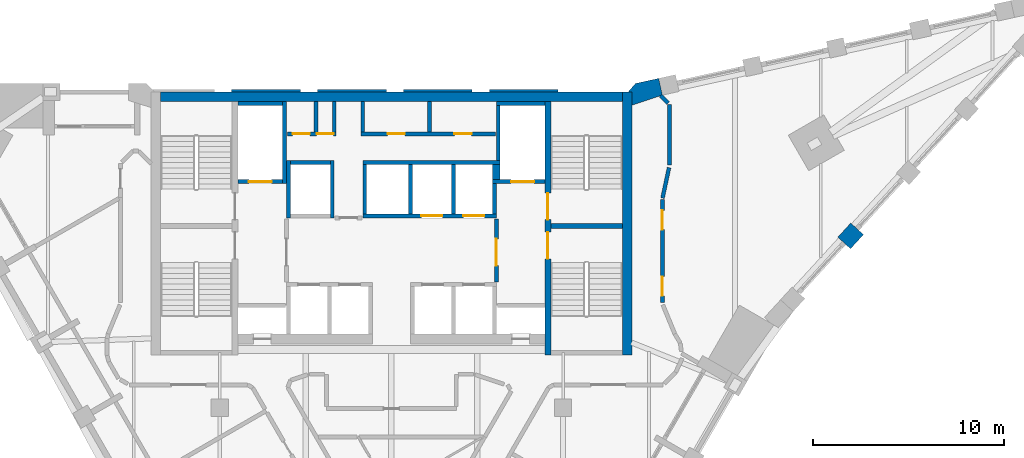
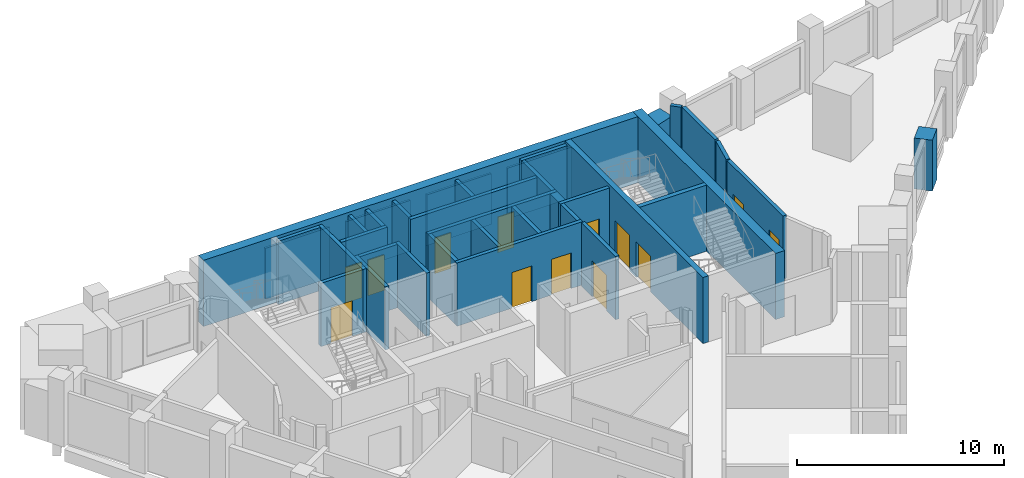
# One storey, part 6 of 8: 37 walls, 13 doors, 13 openings.
"""IFC4 building model written with IfcOpenShell, lengths in metres."""

from ifc_helpers import new_model, si_unit, direction, frame, frame_2d, origin, place, context, subcontext, project, spatial, polyline, rectangle, outline, extrude, material, layer, layer_set, type_object, element, fill, save


model = new_model("IFC4")

# Units and contexts
model_context = context("Model", 3, precision=1e-05, world=origin(), true_north=direction((0.0, 1.0)))
body_context = subcontext(model_context, "Body", "Model", "MODEL_VIEW")
ifc_project = project(units=[si_unit("LENGTHUNIT", "METRE"), si_unit("AREAUNIT", "SQUARE_METRE"), si_unit("VOLUMEUNIT", "CUBIC_METRE"), si_unit("PLANEANGLEUNIT", "RADIAN"), si_unit("MASSUNIT", "GRAM", prefix="KILO")], contexts=[model_context])

# Site, building, storey
site_placement = place(None, origin())
site = spatial("IfcSite", under=ifc_project, at=site_placement, CompositionType="ELEMENT")
building_placement = place(site_placement, origin())
building = spatial("IfcBuilding", under=site, at=building_placement, Name="Calabash Gate Tower", CompositionType="ELEMENT")
storey_placement = place(building_placement, frame((0.0, 0.0, 275.5)))
storey = spatial("IfcBuildingStorey", under=building, at=storey_placement, Name="L66", CompositionType="ELEMENT", Elevation=275.5)

# Walls
ifc_material_1 = material(Name="Terracotta brick masonry, exposed face", Category="masonry")
ifc_layer_1 = layer(ifc_material_1, 0.89990234375)
ifc_layer_set_1 = layer_set([ifc_layer_1], Name="Brick end wall 900")
wall_type_1 = type_object("IfcWallType", Name="Brick end wall 900", PredefinedType="SOLIDWALL", material=ifc_layer_set_1)
wall_1_placement = place(storey_placement, frame((23.728515625, 11.135009765625, 0.0), z_axis=(0.0, 0.0, 1.0), x_axis=(0.674788120713, 0.738011512203, 0.0)))
element("IfcWall", 1, at=wall_1_placement, inside=storey, type_object=wall_type_1, Name="Brick pier S19 wedge3.1", PredefinedType="SOLIDWALL", context=body_context, shape_type="SweptSolid", body=[
    extrude(rectangle(XDim=1.00390625, YDim=0.89990234375, at=frame_2d((0.501953125, 0.0))), origin(), (0.0, 0.0, 1.0), 3.0),
])
wall_2_placement = place(storey_placement, origin())
element("IfcWall", 2, at=wall_2_placement, inside=storey, type_object=wall_type_1, Name="Brick end wall S19 3", PredefinedType="SOLIDWALL", context=body_context, shape_type="SweptSolid", body=[
    extrude(outline(polyline([(14.201416015625, 18.883056640625), (14.0078125, 19.761962890625), (12.784423828125, 19.491943359375), (12.410400390625, 19.052490234375), (12.60009765625, 19.052490234375), (12.60009765625, 18.351806640625), (14.201416015625, 18.883056640625)])), origin(), (0.0, 0.0, 1.0), 3.0),
])
ifc_material_2 = material(Name="Gypsum board on steel studs, mineral wool", Category="steel")
ifc_layer_2 = layer(ifc_material_2, 0.199951171875)
ifc_layer_set_2 = layer_set([ifc_layer_2], Name="Core partition 200 gypsum board")
wall_type_2 = type_object("IfcWallType", Name="Core partition 200 gypsum board", PredefinedType="PARTITIONING", material=ifc_layer_set_2)
for number, where, z_axis, x_axis, name in (
    (3, (-3.949951171875, 16.95263671875, 0.0), (0.0, 0.0, 1.0), (0.0, 1.0, 0.0), "Core partition"),
    (4, (-3.0, 16.95263671875, 0.0), (0.0, 0.0, 1.0), (0.0, 1.0, 0.0), "Core partition"),
    (5, (-1.5, 16.95263671875, 0.0), (0.0, 0.0, 1.0), (0.0, 1.0, 0.0), "Core partition"),
    (6, (2.0, 16.95263671875, 0.0), (0.0, 0.0, 1.0), (0.0, 1.0, 0.0), "Core partition"),
):
    element("IfcWall", number, at=place(storey_placement, frame(where, z_axis=z_axis, x_axis=x_axis)), inside=storey, type_object=wall_type_2, Name=name, PredefinedType="PARTITIONING", context=body_context, shape_type="SweptSolid", body=[
        extrude(rectangle(XDim=1.599853515625, YDim=0.199951171875, at=frame_2d((0.7998046875, 0.0))), origin(), (0.0, 0.0, 1.0), 3.72998046875),
    ])
ifc_material_3 = material(Name="Concrete C60/75", Category="concrete")
ifc_layer_3 = layer(ifc_material_3, 0.25)
ifc_layer_set_3 = layer_set([ifc_layer_3], Name="Core wall 250 Concrete C60/75")
wall_type_3 = type_object("IfcWallType", Name="Core wall 250 Concrete C60/75", PredefinedType="SHEAR", material=ifc_layer_set_3)
wall_3_placement = place(storey_placement, frame((8.35009765625, 12.027587890625, 0.0), z_axis=(0.0, 0.0, 1.0), x_axis=(1.0, 0.0, 0.0)))
element("IfcWall", 7, at=wall_3_placement, inside=storey, type_object=wall_type_3, Name="Core wall Z5-MIDE L66", PredefinedType="SHEAR", context=body_context, shape_type="SweptSolid", body=[
    extrude(rectangle(XDim=3.75, YDim=0.25, at=frame_2d((1.875, 0.0))), origin(), (0.0, 0.0, 1.0), 3.89990234375),
])

# Wall, openings, doors
ifc_material_4 = material(Name="Concrete C60/75", Category="concrete")
ifc_layer_4 = layer(ifc_material_4, 0.300048828125)
ifc_layer_set_4 = layer_set([ifc_layer_4], Name="Core wall 300 Concrete C60/75")
wall_type_4 = type_object("IfcWallType", Name="Core wall 300 Concrete C60/75", PredefinedType="SHEAR", material=ifc_layer_set_4)
wall_4_placement = place(storey_placement, frame((8.199951171875, 5.252685546875, 0.0), z_axis=(0.0, 0.0, 1.0), x_axis=(0.0, 1.0, 0.0)))
wall_4 = element("IfcWall", 8, at=wall_4_placement, inside=storey, type_object=wall_type_4, Name="Core wall Z5-PARTE L66", PredefinedType="SHEAR", context=body_context, shape_type="SweptSolid", body=[
    extrude(rectangle(XDim=13.2998046875, YDim=0.300048828125, at=frame_2d((6.64990234375, 0.0))), origin(), (0.0, 0.0, 1.0), 3.89990234375),
])
opening_1_placement = place(wall_4_placement, frame((7.10009765625, 0.0, 0.0)))
opening_1 = element("IfcOpeningElement", 9, at=opening_1_placement, cuts=wall_4, Name="Opening O11-012", PredefinedType="OPENING", context=body_context, shape_type="SweptSolid", body=[
    extrude(rectangle(XDim=1.39990234375, YDim=2.10009765625, at=frame_2d((0.699951171875, 1.050048828125))), frame((0.0, 0.159912109375, 0.0), z_axis=(0.0, -1.0, 0.0), x_axis=(1.0, 0.0, 0.0)), (0.0, 0.0, 1.0), 0.320068359375),
])
opening_2_placement = place(wall_4_placement, frame((5.050048828125, 0.0, 0.0)))
opening_2 = element("IfcOpeningElement", 10, at=opening_2_placement, cuts=wall_4, Name="Opening O11-013", PredefinedType="OPENING", context=body_context, shape_type="SweptSolid", body=[
    extrude(rectangle(XDim=1.39990234375, YDim=2.10009765625, at=frame_2d((0.699951171875, 1.050048828125))), frame((0.0, 0.159912109375, 0.0), z_axis=(0.0, -1.0, 0.0), x_axis=(1.0, 0.0, 0.0)), (0.0, 0.0, 1.0), 0.320068359375),
])
ifc_material_5 = material(Name="Steel fire door set with fire-resisting glazing", Category="steel")
door_type_1 = type_object("IfcDoorType", Name="Fire door D05 1400x2100 FD90", OperationType="NOTDEFINED", PredefinedType="DOOR", material=ifc_material_5)
door_1_placement = place(opening_1_placement, origin())
door_1 = element("IfcDoor", 11, at=door_1_placement, inside=storey, type_object=door_type_1, Name="Exit stair door ST3", OperationType="SINGLE_SWING_RIGHT", OverallHeight=2.10009765625, OverallWidth=1.39990234375, PredefinedType="DOOR", context=body_context, shape_type="SweptSolid", body=[
    extrude(rectangle(XDim=1.39990234375, YDim=2.10009765625, at=frame_2d((0.699951171875, 1.050048828125))), frame((0.0, 0.02490234375, 0.0), z_axis=(0.0, -1.0, 0.0), x_axis=(1.0, 0.0, 0.0)), (0.0, 0.0, 1.0), 0.050048828125),
])
fill(opening_1, door_1)
door_2_placement = place(opening_2_placement, origin())
door_2 = element("IfcDoor", 12, at=door_2_placement, inside=storey, type_object=door_type_1, Name="Exit stair door ST4", OperationType="SINGLE_SWING_LEFT", OverallHeight=2.10009765625, OverallWidth=1.39990234375, PredefinedType="DOOR", context=body_context, shape_type="SweptSolid", body=[
    extrude(rectangle(XDim=1.39990234375, YDim=2.10009765625, at=frame_2d((0.699951171875, 1.050048828125))), frame((0.0, 0.02490234375, 0.0), z_axis=(0.0, -1.0, 0.0), x_axis=(1.0, 0.0, 0.0)), (0.0, 0.0, 1.0), 0.050048828125),
])
fill(opening_2, door_2)

# Walls
ifc_material_6 = material(Name="Concrete C60/75", Category="concrete")
ifc_layer_5 = layer(ifc_material_6, 0.5)
ifc_layer_set_5 = layer_set([ifc_layer_5], Name="Core wall 500 Concrete C60/75")
wall_type_5 = type_object("IfcWallType", Name="Core wall 500 Concrete C60/75", PredefinedType="SHEAR", material=ifc_layer_set_5)
wall_5_placement = place(storey_placement, frame((-12.10009765625, 18.802490234375, 0.0), z_axis=(0.0, 0.0, 1.0), x_axis=(1.0, 0.0, 0.0)))
element("IfcWall", 13, at=wall_5_placement, inside=storey, type_object=wall_type_5, Name="Core wall Z5-N L66", PredefinedType="SHEAR", context=body_context, shape_type="SweptSolid", body=[
    extrude(rectangle(XDim=24.2001953125, YDim=0.5, at=frame_2d((12.10009765625, 0.0))), origin(), (0.0, 0.0, 1.0), 3.89990234375),
])
wall_6_placement = place(storey_placement, frame((12.35009765625, 5.252685546875, 0.0), z_axis=(0.0, 0.0, 1.0), x_axis=(0.0, 1.0, 0.0)))
element("IfcWall", 14, at=wall_6_placement, inside=storey, type_object=wall_type_5, Name="Core wall Z5-COLE L66", PredefinedType="SHEAR", context=body_context, shape_type="SweptSolid", body=[
    extrude(rectangle(XDim=13.7998046875, YDim=0.5, at=frame_2d((6.89990234375, 0.0))), origin(), (0.0, 0.0, 1.0), 3.89990234375),
])

# Wall, openings, doors
ifc_material_7 = material(Name="Gypsum board on steel studs, mineral wool", Category="steel")
ifc_layer_6 = layer(ifc_material_7, 0.199951171875)
ifc_layer_set_6 = layer_set([ifc_layer_6], Name="Partition 200 gypsum board EI 60")
wall_type_6 = type_object("IfcWallType", Name="Partition 200 gypsum board EI 60", PredefinedType="PARTITIONING", material=ifc_layer_set_6)
wall_7_placement = place(storey_placement, frame((14.200439453125, 8.017333984375, 0.0), z_axis=(0.0, 0.0, 1.0), x_axis=(0.0, 1.0, 0.0)))
wall_7 = element("IfcWall", 15, at=wall_7_placement, inside=storey, type_object=wall_type_6, Name="Partition", PredefinedType="PARTITIONING", context=body_context, shape_type="SweptSolid", body=[
    extrude(rectangle(XDim=5.400146484375, YDim=0.199951171875, at=frame_2d((2.7001953125, 0.0))), origin(), (0.0, 0.0, 1.0), 3.72998046875),
])
opening_3_placement = place(wall_7_placement, frame((3.8203125, 0.0, 0.0)))
opening_3 = element("IfcOpeningElement", 16, at=opening_3_placement, cuts=wall_7, Name="Opening 65-66-007", PredefinedType="OPENING", context=body_context, shape_type="SweptSolid", body=[
    extrude(rectangle(XDim=1.0, YDim=2.10009765625, at=frame_2d((0.5, 1.050048828125))), frame((0.0, 0.10986328125, 0.0), z_axis=(0.0, -1.0, 0.0), x_axis=(1.0, 0.0, 0.0)), (0.0, 0.0, 1.0), 0.219970703125),
])
opening_4_placement = place(wall_7_placement, frame((0.35009765625, 0.0, 0.0)))
opening_4 = element("IfcOpeningElement", 17, at=opening_4_placement, cuts=wall_7, Name="Opening 65-66-008", PredefinedType="OPENING", context=body_context, shape_type="SweptSolid", body=[
    extrude(rectangle(XDim=1.0, YDim=2.10009765625, at=frame_2d((0.5, 1.050048828125))), frame((0.0, 0.10986328125, 0.0), z_axis=(0.0, -1.0, 0.0), x_axis=(1.0, 0.0, 0.0)), (0.0, 0.0, 1.0), 0.219970703125),
])
ifc_material_8 = material(Name="Steel fire door set with fire-resisting glazing", Category="steel")
door_type_2 = type_object("IfcDoorType", Name="LD2 Meeting room door 1000x2100", OperationType="NOTDEFINED", PredefinedType="DOOR", material=ifc_material_8)
door_3_placement = place(opening_3_placement, origin())
door_3 = element("IfcDoor", 18, at=door_3_placement, inside=storey, type_object=door_type_2, Name="Meeting room door", OperationType="SINGLE_SWING_RIGHT", OverallHeight=2.10009765625, OverallWidth=1.0, PredefinedType="DOOR", context=body_context, shape_type="SweptSolid", body=[
    extrude(rectangle(XDim=1.0, YDim=2.10009765625, at=frame_2d((0.5, 1.050048828125))), frame((0.0, 0.02490234375, 0.0), z_axis=(0.0, -1.0, 0.0), x_axis=(1.0, 0.0, 0.0)), (0.0, 0.0, 1.0), 0.050048828125),
])
fill(opening_3, door_3)
door_4_placement = place(opening_4_placement, origin())
door_4 = element("IfcDoor", 19, at=door_4_placement, inside=storey, type_object=door_type_2, Name="Meeting room door", OperationType="SINGLE_SWING_LEFT", OverallHeight=2.10009765625, OverallWidth=1.0, PredefinedType="DOOR", context=body_context, shape_type="SweptSolid", body=[
    extrude(rectangle(XDim=1.0, YDim=2.10009765625, at=frame_2d((0.5, 1.050048828125))), frame((0.0, 0.02490234375, 0.0), z_axis=(0.0, -1.0, 0.0), x_axis=(1.0, 0.0, 0.0)), (0.0, 0.0, 1.0), 0.050048828125),
])
fill(opening_4, door_4)

# Walls
wall_8_placement = place(storey_placement, frame((14.2080078125, 13.48681640625, 0.0), z_axis=(0.0, 0.0, 1.0), x_axis=(0.210294567168, 0.977638069543, 0.0)))
element("IfcWall", 20, at=wall_8_placement, inside=storey, type_object=wall_type_6, Name="Partition", PredefinedType="PARTITIONING", context=body_context, shape_type="SweptSolid", body=[
    extrude(rectangle(XDim=1.633544921875, YDim=0.199951171875, at=frame_2d((0.81689453125, 0.0))), origin(), (0.0, 0.0, 1.0), 3.72998046875),
])
wall_9_placement = place(storey_placement, frame((14.566162109375, 18.392578125, 0.0), z_axis=(0.0, 0.0, 1.0), x_axis=(0.0, -1.0, 0.0)))
element("IfcWall", 21, at=wall_9_placement, inside=storey, type_object=wall_type_6, Name="Partition", PredefinedType="PARTITIONING", context=body_context, shape_type="SweptSolid", body=[
    extrude(rectangle(XDim=3.169921875, YDim=0.199951171875, at=frame_2d((1.5849609375, 0.0))), origin(), (0.0, 0.0, 1.0), 3.72998046875),
])
wall_10_placement = place(storey_placement, frame((14.107177734375, 18.851806640625, 0.0), z_axis=(0.0, 0.0, 1.0), x_axis=(0.707106781187, -0.707106781187, 0.0)))
element("IfcWall", 22, at=wall_10_placement, inside=storey, type_object=wall_type_6, Name="Partition", PredefinedType="PARTITIONING", context=body_context, shape_type="SweptSolid", body=[
    extrude(rectangle(XDim=0.54931640625, YDim=0.199951171875, at=frame_2d((0.274658203125, 0.0))), origin(), (0.0, 0.0, 1.0), 3.72998046875),
])

# Wall, opening, door
ifc_material_9 = material(Name="Concrete C40/50", Category="concrete")
ifc_layer_7 = layer(ifc_material_9, 0.199951171875)
ifc_layer_set_7 = layer_set([ifc_layer_7], Name="Shaft wall 200 Concrete C40/50")
wall_type_7 = type_object("IfcWallType", Name="Shaft wall 200 Concrete C40/50", PredefinedType="SOLIDWALL", material=ifc_layer_set_7)
wall_11_placement = place(storey_placement, frame((5.5, 9.1025390625, 0.0), z_axis=(0.0, 0.0, 1.0), x_axis=(0.0, 1.0, 0.0)))
wall_11 = element("IfcWall", 23, at=wall_11_placement, inside=storey, type_object=wall_type_7, Name="Shaft wall", PredefinedType="SOLIDWALL", context=body_context, shape_type="SweptSolid", body=[
    extrude(rectangle(XDim=3.300048828125, YDim=0.199951171875, at=frame_2d((1.64990234375, 0.0))), origin(), (0.0, 0.0, 1.0), 3.72998046875),
])
opening_5_placement = place(wall_11_placement, frame((0.85009765625, 0.0, 0.0)))
opening_5 = element("IfcOpeningElement", 24, at=opening_5_placement, cuts=wall_11, Name="Opening O11-002", PredefinedType="OPENING", context=body_context, shape_type="SweptSolid", body=[
    extrude(rectangle(XDim=1.39990234375, YDim=2.10009765625, at=frame_2d((0.699951171875, 1.050048828125))), frame((0.0, 0.10986328125, 0.0), z_axis=(0.0, -1.0, 0.0), x_axis=(1.0, 0.0, 0.0)), (0.0, 0.0, 1.0), 0.219970703125),
])
door_5_placement = place(opening_5_placement, origin())
door_5 = element("IfcDoor", 25, at=door_5_placement, inside=storey, type_object=door_type_1, Name="Firefighting Lobby E door", OperationType="SINGLE_SWING_LEFT", OverallHeight=2.10009765625, OverallWidth=1.39990234375, PredefinedType="DOOR", context=body_context, shape_type="SweptSolid", body=[
    extrude(rectangle(XDim=1.39990234375, YDim=2.10009765625, at=frame_2d((0.699951171875, 1.050048828125))), frame((0.0, 0.02490234375, 0.0), z_axis=(0.0, -1.0, 0.0), x_axis=(1.0, 0.0, 0.0)), (0.0, 0.0, 1.0), 0.050048828125),
])
fill(opening_5, door_5)

# Walls
for number, where, z_axis, x_axis, name in (
    (26, (-5.39990234375, 12.45263671875, 0.0), (0.0, 0.0, 1.0), (0.0, 1.0, 0.0), "Shaft wall"),
    (27, (-3.10009765625, 12.45263671875, 0.0), (0.0, 0.0, 1.0), (0.0, 1.0, 0.0), "Shaft wall"),
):
    element("IfcWall", number, at=place(storey_placement, frame(where, z_axis=z_axis, x_axis=x_axis)), inside=storey, type_object=wall_type_7, Name=name, PredefinedType="SOLIDWALL", context=body_context, shape_type="SweptSolid", body=[
        extrude(rectangle(XDim=3.0, YDim=0.199951171875, at=frame_2d((1.5, 0.0))), origin(), (0.0, 0.0, 1.0), 3.72998046875),
    ])

# Wall, openings, doors
wall_12_placement = place(storey_placement, frame((-1.5, 12.552490234375, 0.0), z_axis=(0.0, 0.0, 1.0), x_axis=(1.0, 0.0, 0.0)))
wall_12 = element("IfcWall", 28, at=wall_12_placement, inside=storey, type_object=wall_type_7, Name="Shaft wall", PredefinedType="SOLIDWALL", context=body_context, shape_type="SweptSolid", body=[
    extrude(rectangle(XDim=7.0, YDim=0.199951171875, at=frame_2d((3.5, 0.0))), origin(), (0.0, 0.0, 1.0), 3.72998046875),
])
opening_6_placement = place(wall_12_placement, frame((3.074951171875, 0.0, 0.0)))
opening_6 = element("IfcOpeningElement", 29, at=opening_6_placement, cuts=wall_12, Name="Opening LD-HR5", PredefinedType="OPENING", context=body_context, shape_type="SweptSolid", body=[
    extrude(rectangle(XDim=1.10009765625, YDim=2.10009765625, at=frame_2d((0.550048828125, 1.050048828125))), frame((0.0, 0.10986328125, 0.0), z_axis=(0.0, -1.0, 0.0), x_axis=(1.0, 0.0, 0.0)), (0.0, 0.0, 1.0), 0.219970703125),
])
opening_7_placement = place(wall_12_placement, frame((5.27490234375, 0.0, 0.0)))
opening_7 = element("IfcOpeningElement", 30, at=opening_7_placement, cuts=wall_12, Name="Opening LD-HR6", PredefinedType="OPENING", context=body_context, shape_type="SweptSolid", body=[
    extrude(rectangle(XDim=1.10009765625, YDim=2.10009765625, at=frame_2d((0.550048828125, 1.050048828125))), frame((0.0, 0.10986328125, 0.0), z_axis=(0.0, -1.0, 0.0), x_axis=(1.0, 0.0, 0.0)), (0.0, 0.0, 1.0), 0.219970703125),
])
ifc_material_10 = material(Name="Stainless steel sliding door leaves", Category="steel")
door_type_3 = type_object("IfcDoorType", Name="Lift landing door LS1 1100x2100 FD90", OperationType="DOUBLE_DOOR_SLIDING", PredefinedType="DOOR", material=ifc_material_10)
door_6_placement = place(opening_6_placement, origin())
door_6 = element("IfcDoor", 31, at=door_6_placement, inside=storey, type_object=door_type_3, Name="Lift landing door HR5", OperationType="DOUBLE_DOOR_SLIDING", OverallHeight=2.10009765625, OverallWidth=1.10009765625, PredefinedType="DOOR", context=body_context, shape_type="SweptSolid", body=[
    extrude(rectangle(XDim=1.10009765625, YDim=2.10009765625, at=frame_2d((0.550048828125, 1.050048828125))), frame((0.0, 0.02490234375, 0.0), z_axis=(0.0, -1.0, 0.0), x_axis=(1.0, 0.0, 0.0)), (0.0, 0.0, 1.0), 0.050048828125),
])
fill(opening_6, door_6)
door_7_placement = place(opening_7_placement, origin())
door_7 = element("IfcDoor", 32, at=door_7_placement, inside=storey, type_object=door_type_3, Name="Lift landing door HR6", OperationType="DOUBLE_DOOR_SLIDING", OverallHeight=2.10009765625, OverallWidth=1.10009765625, PredefinedType="DOOR", context=body_context, shape_type="SweptSolid", body=[
    extrude(rectangle(XDim=1.10009765625, YDim=2.10009765625, at=frame_2d((0.550048828125, 1.050048828125))), frame((0.0, 0.02490234375, 0.0), z_axis=(0.0, -1.0, 0.0), x_axis=(1.0, 0.0, 0.0)), (0.0, 0.0, 1.0), 0.050048828125),
])
fill(opening_7, door_7)

# Walls
for number, where, z_axis, x_axis, name in (
    (33, (-1.39990234375, 12.652587890625, 0.0), (0.0, 0.0, 1.0), (0.0, 1.0, 0.0), "Shaft wall"),
    (34, (1.0, 12.652587890625, 0.0), (0.0, 0.0, 1.0), (0.0, 1.0, 0.0), "Shaft wall"),
    (35, (3.25, 12.652587890625, 0.0), (0.0, 0.0, 1.0), (0.0, 1.0, 0.0), "Shaft wall"),
):
    element("IfcWall", number, at=place(storey_placement, frame(where, z_axis=z_axis, x_axis=x_axis)), inside=storey, type_object=wall_type_7, Name=name, PredefinedType="SOLIDWALL", context=body_context, shape_type="SweptSolid", body=[
        extrude(rectangle(XDim=2.60009765625, YDim=0.199951171875, at=frame_2d((1.300048828125, 0.0))), origin(), (0.0, 0.0, 1.0), 3.72998046875),
    ])
wall_13_placement = place(storey_placement, frame((5.39990234375, 12.652587890625, 0.0), z_axis=(0.0, 0.0, 1.0), x_axis=(0.0, 1.0, 0.0)))
element("IfcWall", 36, at=wall_13_placement, inside=storey, type_object=wall_type_7, Name="Shaft wall", PredefinedType="SOLIDWALL", context=body_context, shape_type="SweptSolid", body=[
    extrude(rectangle(XDim=1.60009765625, YDim=0.199951171875, at=frame_2d((0.800048828125, 0.0))), origin(), (0.0, 0.0, 1.0), 3.72998046875),
])

# Wall, opening, door
wall_14_placement = place(storey_placement, frame((-8.050048828125, 14.3525390625, 0.0), z_axis=(0.0, 0.0, 1.0), x_axis=(1.0, 0.0, 0.0)))
wall_14 = element("IfcWall", 37, at=wall_14_placement, inside=storey, type_object=wall_type_7, Name="Shaft wall", PredefinedType="SOLIDWALL", context=body_context, shape_type="SweptSolid", body=[
    extrude(rectangle(XDim=2.35009765625, YDim=0.199951171875, at=frame_2d((1.175048828125, 0.0))), origin(), (0.0, 0.0, 1.0), 3.72998046875),
])
opening_8_placement = place(wall_14_placement, frame((0.574951171875, 0.0, 0.0)))
opening_8 = element("IfcOpeningElement", 38, at=opening_8_placement, cuts=wall_14, Name="Opening LD-FF1", PredefinedType="OPENING", context=body_context, shape_type="SweptSolid", body=[
    extrude(rectangle(XDim=1.199951171875, YDim=2.10009765625, at=frame_2d((0.60009765625, 1.050048828125))), frame((0.0, 0.10986328125, 0.0), z_axis=(0.0, -1.0, 0.0), x_axis=(1.0, 0.0, 0.0)), (0.0, 0.0, 1.0), 0.219970703125),
])
ifc_material_11 = material(Name="Stainless steel sliding door leaves", Category="steel")
door_type_4 = type_object("IfcDoorType", Name="Lift landing door LS3 1200x2100 FD90", OperationType="DOUBLE_DOOR_SLIDING", PredefinedType="DOOR", material=ifc_material_11)
door_8_placement = place(opening_8_placement, origin())
door_8 = element("IfcDoor", 39, at=door_8_placement, inside=storey, type_object=door_type_4, Name="Lift landing door FF1", OperationType="DOUBLE_DOOR_SLIDING", OverallHeight=2.10009765625, OverallWidth=1.199951171875, PredefinedType="DOOR", context=body_context, shape_type="SweptSolid", body=[
    extrude(rectangle(XDim=1.199951171875, YDim=2.10009765625, at=frame_2d((0.60009765625, 1.050048828125))), frame((0.0, 0.02490234375, 0.0), z_axis=(0.0, -1.0, 0.0), x_axis=(1.0, 0.0, 0.0)), (0.0, 0.0, 1.0), 0.050048828125),
])
fill(opening_8, door_8)

# Wall
wall_15_placement = place(storey_placement, frame((-5.60009765625, 14.252685546875, 0.0), z_axis=(0.0, 0.0, 1.0), x_axis=(0.0, 1.0, 0.0)))
element("IfcWall", 40, at=wall_15_placement, inside=storey, type_object=wall_type_7, Name="Shaft wall", PredefinedType="SOLIDWALL", context=body_context, shape_type="SweptSolid", body=[
    extrude(rectangle(XDim=4.2998046875, YDim=0.199951171875, at=frame_2d((2.14990234375, 0.0))), origin(), (0.0, 0.0, 1.0), 3.72998046875),
])

# Wall, opening, door
wall_16_placement = place(storey_placement, frame((5.300048828125, 14.3525390625, 0.0), z_axis=(0.0, 0.0, 1.0), x_axis=(1.0, 0.0, 0.0)))
wall_16 = element("IfcWall", 41, at=wall_16_placement, inside=storey, type_object=wall_type_7, Name="Shaft wall", PredefinedType="SOLIDWALL", context=body_context, shape_type="SweptSolid", body=[
    extrude(rectangle(XDim=2.75, YDim=0.199951171875, at=frame_2d((1.375, 0.0))), origin(), (0.0, 0.0, 1.0), 3.72998046875),
])
opening_9_placement = place(wall_16_placement, frame((0.97509765625, 0.0, 0.0)))
opening_9 = element("IfcOpeningElement", 42, at=opening_9_placement, cuts=wall_16, Name="Opening LD-FF2", PredefinedType="OPENING", context=body_context, shape_type="SweptSolid", body=[
    extrude(rectangle(XDim=1.199951171875, YDim=2.10009765625, at=frame_2d((0.60009765625, 1.050048828125))), frame((0.0, 0.10986328125, 0.0), z_axis=(0.0, -1.0, 0.0), x_axis=(1.0, 0.0, 0.0)), (0.0, 0.0, 1.0), 0.219970703125),
])
door_9_placement = place(opening_9_placement, origin())
door_9 = element("IfcDoor", 43, at=door_9_placement, inside=storey, type_object=door_type_4, Name="Lift landing door FF2", OperationType="DOUBLE_DOOR_SLIDING", OverallHeight=2.10009765625, OverallWidth=1.199951171875, PredefinedType="DOOR", context=body_context, shape_type="SweptSolid", body=[
    extrude(rectangle(XDim=1.199951171875, YDim=2.10009765625, at=frame_2d((0.60009765625, 1.050048828125))), frame((0.0, 0.02490234375, 0.0), z_axis=(0.0, -1.0, 0.0), x_axis=(1.0, 0.0, 0.0)), (0.0, 0.0, 1.0), 0.050048828125),
])
fill(opening_9, door_9)

# Walls
wall_17_placement = place(storey_placement, frame((5.5, 14.45263671875, 0.0), z_axis=(0.0, 0.0, 1.0), x_axis=(0.0, 1.0, 0.0)))
element("IfcWall", 44, at=wall_17_placement, inside=storey, type_object=wall_type_7, Name="Shaft wall", PredefinedType="SOLIDWALL", context=body_context, shape_type="SweptSolid", body=[
    extrude(rectangle(XDim=0.800048828125, YDim=0.39990234375, at=frame_2d((0.39990234375, 0.0))), origin(), (0.0, 0.0, 1.0), 3.72998046875),
])
wall_18_placement = place(storey_placement, frame((-5.300048828125, 15.3525390625, 0.0), z_axis=(0.0, 0.0, 1.0), x_axis=(1.0, 0.0, 0.0)))
element("IfcWall", 45, at=wall_18_placement, inside=storey, type_object=wall_type_7, Name="Shaft wall", PredefinedType="SOLIDWALL", context=body_context, shape_type="SweptSolid", body=[
    extrude(rectangle(XDim=2.10009765625, YDim=0.199951171875, at=frame_2d((1.050048828125, 0.0))), origin(), (0.0, 0.0, 1.0), 3.72998046875),
])
wall_19_placement = place(storey_placement, frame((-1.5, 15.3525390625, 0.0), z_axis=(0.0, 0.0, 1.0), x_axis=(1.0, 0.0, 0.0)))
element("IfcWall", 46, at=wall_19_placement, inside=storey, type_object=wall_type_7, Name="Shaft wall", PredefinedType="SOLIDWALL", context=body_context, shape_type="SweptSolid", body=[
    extrude(rectangle(XDim=7.199951171875, YDim=0.199951171875, at=frame_2d((3.60009765625, 0.0))), origin(), (0.0, 0.0, 1.0), 3.72998046875),
])
wall_20_placement = place(storey_placement, frame((5.60009765625, 15.45263671875, 0.0), z_axis=(0.0, 0.0, 1.0), x_axis=(0.0, 1.0, 0.0)))
element("IfcWall", 47, at=wall_20_placement, inside=storey, type_object=wall_type_7, Name="Shaft wall", PredefinedType="SOLIDWALL", context=body_context, shape_type="SweptSolid", body=[
    extrude(rectangle(XDim=2.89990234375, YDim=0.199951171875, at=frame_2d((1.449951171875, 0.0))), origin(), (0.0, 0.0, 1.0), 3.72998046875),
])

# Wall, openings, doors
wall_21_placement = place(storey_placement, frame((-5.449951171875, 16.8525390625, 0.0), z_axis=(0.0, 0.0, 1.0), x_axis=(1.0, 0.0, 0.0)))
wall_21 = element("IfcWall", 48, at=wall_21_placement, inside=storey, type_object=wall_type_7, Name="Shaft wall", PredefinedType="SOLIDWALL", context=body_context, shape_type="SweptSolid", body=[
    extrude(rectangle(XDim=2.550048828125, YDim=0.199951171875, at=frame_2d((1.27490234375, 0.0))), origin(), (0.0, 0.0, 1.0), 3.72998046875),
])
opening_10_placement = place(wall_21_placement, frame((0.27490234375, 0.0, 0.0)))
opening_10 = element("IfcOpeningElement", 49, at=opening_10_placement, cuts=wall_21, Name="Opening O11-004", PredefinedType="OPENING", context=body_context, shape_type="SweptSolid", body=[
    extrude(rectangle(XDim=0.89990234375, YDim=2.10009765625, at=frame_2d((0.449951171875, 1.050048828125))), frame((0.0, 0.10986328125, 0.0), z_axis=(0.0, -1.0, 0.0), x_axis=(1.0, 0.0, 0.0)), (0.0, 0.0, 1.0), 0.219970703125),
])
opening_11_placement = place(wall_21_placement, frame((1.52490234375, 0.0, 0.0)))
opening_11 = element("IfcOpeningElement", 50, at=opening_11_placement, cuts=wall_21, Name="Opening O11-005", PredefinedType="OPENING", context=body_context, shape_type="SweptSolid", body=[
    extrude(rectangle(XDim=0.89990234375, YDim=2.10009765625, at=frame_2d((0.449951171875, 1.050048828125))), frame((0.0, 0.10986328125, 0.0), z_axis=(0.0, -1.0, 0.0), x_axis=(1.0, 0.0, 0.0)), (0.0, 0.0, 1.0), 0.219970703125),
])
ifc_material_12 = material(Name="Steel fire door set with fire-resisting glazing", Category="steel")
door_type_5 = type_object("IfcDoorType", Name="Fire door D06 900x2100 FD60", OperationType="NOTDEFINED", PredefinedType="DOOR", material=ifc_material_12)
door_10_placement = place(opening_10_placement, origin())
door_10 = element("IfcDoor", 51, at=door_10_placement, inside=storey, type_object=door_type_5, Name="Accessible WC door", OperationType="SINGLE_SWING_LEFT", OverallHeight=2.10009765625, OverallWidth=0.89990234375, PredefinedType="DOOR", context=body_context, shape_type="SweptSolid", body=[
    extrude(rectangle(XDim=0.89990234375, YDim=2.10009765625, at=frame_2d((0.449951171875, 1.050048828125))), frame((0.0, 0.02490234375, 0.0), z_axis=(0.0, -1.0, 0.0), x_axis=(1.0, 0.0, 0.0)), (0.0, 0.0, 1.0), 0.050048828125),
])
fill(opening_10, door_10)
door_11_placement = place(opening_11_placement, origin())
door_11 = element("IfcDoor", 52, at=door_11_placement, inside=storey, type_object=door_type_5, Name="Cleaner's Store door", OperationType="SINGLE_SWING_LEFT", OverallHeight=2.10009765625, OverallWidth=0.89990234375, PredefinedType="DOOR", context=body_context, shape_type="SweptSolid", body=[
    extrude(rectangle(XDim=0.89990234375, YDim=2.10009765625, at=frame_2d((0.449951171875, 1.050048828125))), frame((0.0, 0.02490234375, 0.0), z_axis=(0.0, -1.0, 0.0), x_axis=(1.0, 0.0, 0.0)), (0.0, 0.0, 1.0), 0.050048828125),
])
fill(opening_11, door_11)

wall_22_placement = place(storey_placement, frame((-1.60009765625, 16.8525390625, 0.0), z_axis=(0.0, 0.0, 1.0), x_axis=(1.0, 0.0, 0.0)))
wall_22 = element("IfcWall", 53, at=wall_22_placement, inside=storey, type_object=wall_type_7, Name="Shaft wall", PredefinedType="SOLIDWALL", context=body_context, shape_type="SweptSolid", body=[
    extrude(rectangle(XDim=7.050048828125, YDim=0.199951171875, at=frame_2d((3.52490234375, 0.0))), origin(), (0.0, 0.0, 1.0), 3.72998046875),
])
opening_12_placement = place(wall_22_placement, frame((1.39990234375, 0.0, 0.0)))
opening_12 = element("IfcOpeningElement", 54, at=opening_12_placement, cuts=wall_22, Name="Opening O11-006", PredefinedType="OPENING", context=body_context, shape_type="SweptSolid", body=[
    extrude(rectangle(XDim=0.89990234375, YDim=2.10009765625, at=frame_2d((0.449951171875, 1.050048828125))), frame((0.0, 0.10986328125, 0.0), z_axis=(0.0, -1.0, 0.0), x_axis=(1.0, 0.0, 0.0)), (0.0, 0.0, 1.0), 0.219970703125),
])
opening_13_placement = place(wall_22_placement, frame((4.89990234375, 0.0, 0.0)))
opening_13 = element("IfcOpeningElement", 55, at=opening_13_placement, cuts=wall_22, Name="Opening O11-007", PredefinedType="OPENING", context=body_context, shape_type="SweptSolid", body=[
    extrude(rectangle(XDim=0.89990234375, YDim=2.10009765625, at=frame_2d((0.449951171875, 1.050048828125))), frame((0.0, 0.10986328125, 0.0), z_axis=(0.0, -1.0, 0.0), x_axis=(1.0, 0.0, 0.0)), (0.0, 0.0, 1.0), 0.219970703125),
])
door_12_placement = place(opening_12_placement, origin())
door_12 = element("IfcDoor", 56, at=door_12_placement, inside=storey, type_object=door_type_5, Name="Tenant Pantry door", OperationType="SINGLE_SWING_LEFT", OverallHeight=2.10009765625, OverallWidth=0.89990234375, PredefinedType="DOOR", context=body_context, shape_type="SweptSolid", body=[
    extrude(rectangle(XDim=0.89990234375, YDim=2.10009765625, at=frame_2d((0.449951171875, 1.050048828125))), frame((0.0, 0.02490234375, 0.0), z_axis=(0.0, -1.0, 0.0), x_axis=(1.0, 0.0, 0.0)), (0.0, 0.0, 1.0), 0.050048828125),
])
fill(opening_12, door_12)
door_13_placement = place(opening_13_placement, origin())
door_13 = element("IfcDoor", 57, at=door_13_placement, inside=storey, type_object=door_type_5, Name="Comms Room door", OperationType="SINGLE_SWING_LEFT", OverallHeight=2.10009765625, OverallWidth=0.89990234375, PredefinedType="DOOR", context=body_context, shape_type="SweptSolid", body=[
    extrude(rectangle(XDim=0.89990234375, YDim=2.10009765625, at=frame_2d((0.449951171875, 1.050048828125))), frame((0.0, 0.02490234375, 0.0), z_axis=(0.0, -1.0, 0.0), x_axis=(1.0, 0.0, 0.0)), (0.0, 0.0, 1.0), 0.050048828125),
])
fill(opening_13, door_13)

# Walls
wall_23_placement = place(storey_placement, frame((-8.050048828125, 18.45263671875, 0.0), z_axis=(0.0, 0.0, 1.0), x_axis=(1.0, 0.0, 0.0)))
element("IfcWall", 58, at=wall_23_placement, inside=storey, type_object=wall_type_7, Name="Shaft wall", PredefinedType="SOLIDWALL", context=body_context, shape_type="SweptSolid", body=[
    extrude(rectangle(XDim=2.35009765625, YDim=0.199951171875, at=frame_2d((1.175048828125, 0.0))), origin(), (0.0, 0.0, 1.0), 3.72998046875),
])
wall_24_placement = place(storey_placement, frame((5.5, 18.45263671875, 0.0), z_axis=(0.0, 0.0, 1.0), x_axis=(1.0, 0.0, 0.0)))
element("IfcWall", 59, at=wall_24_placement, inside=storey, type_object=wall_type_7, Name="Shaft wall", PredefinedType="SOLIDWALL", context=body_context, shape_type="SweptSolid", body=[
    extrude(rectangle(XDim=2.550048828125, YDim=0.199951171875, at=frame_2d((1.27490234375, 0.0))), origin(), (0.0, 0.0, 1.0), 3.72998046875),
])
ifc_material_13 = material(Name="Terracotta brick masonry, perforated", Category="masonry")
ifc_layer_8 = layer(ifc_material_13, 0.1201171875)
ifc_layer_set_8 = layer_set([ifc_layer_8], Name="Terracotta jaali cladding A 120")
wall_type_8 = type_object("IfcWallType", Name="Terracotta jaali cladding A 120", PredefinedType="SOLIDWALL", material=ifc_layer_set_8)
wall_25_placement = place(storey_placement, origin())
element("IfcWall", 60, at=wall_25_placement, inside=storey, type_object=wall_type_8, Name="Jaali cladding S19 N6.1", PredefinedType="SOLIDWALL", context=body_context, shape_type="SweptSolid", body=[
    extrude(outline(polyline([(5.12841796875, 19.172607421875), (5.12841796875, 19.052490234375), (8.728515625, 19.052490234375), (8.728515625, 19.172607421875), (5.12841796875, 19.172607421875)])), origin(), (0.0, 0.0, 1.0), 3.0),
])
wall_26_placement = place(storey_placement, origin())
element("IfcWall", 61, at=wall_26_placement, inside=storey, type_object=wall_type_8, Name="Jaali cladding S19 N6.3", PredefinedType="SOLIDWALL", context=body_context, shape_type="SweptSolid", body=[
    extrude(outline(polyline([(-3.87158203125, 19.172607421875), (-3.87158203125, 19.052490234375), (-0.271484375, 19.052490234375), (-0.271484375, 19.172607421875), (-3.87158203125, 19.172607421875)])), origin(), (0.0, 0.0, 1.0), 3.0),
])
ifc_material_14 = material(Name="Terracotta louvre blades in an aluminium frame", Category="masonry")
ifc_layer_9 = layer(ifc_material_14, 0.1201171875)
ifc_layer_set_9 = layer_set([ifc_layer_9], Name="Terracotta vent louvre cladding 120")
wall_type_9 = type_object("IfcWallType", Name="Terracotta vent louvre cladding 120", PredefinedType="ELEMENTEDWALL", material=ifc_layer_set_9)
wall_27_placement = place(storey_placement, origin())
element("IfcWall", 62, at=wall_27_placement, inside=storey, type_object=wall_type_9, Name="Vent louvre cladding S19 N6.2", PredefinedType="ELEMENTEDWALL", context=body_context, shape_type="SweptSolid", body=[
    extrude(outline(polyline([(0.62841796875, 19.172607421875), (0.62841796875, 19.052490234375), (4.228515625, 19.052490234375), (4.228515625, 19.172607421875), (0.62841796875, 19.172607421875)])), origin(), (0.0, 0.0, 1.0), 3.0),
])
wall_28_placement = place(storey_placement, origin())
element("IfcWall", 63, at=wall_28_placement, inside=storey, type_object=wall_type_9, Name="Vent louvre cladding S19 N6.4", PredefinedType="ELEMENTEDWALL", context=body_context, shape_type="SweptSolid", body=[
    extrude(outline(polyline([(-8.37158203125, 19.172607421875), (-8.37158203125, 19.052490234375), (-4.771484375, 19.052490234375), (-4.771484375, 19.172607421875), (-8.37158203125, 19.172607421875)])), origin(), (0.0, 0.0, 1.0), 3.0),
])

save(model, "model.ifc")
